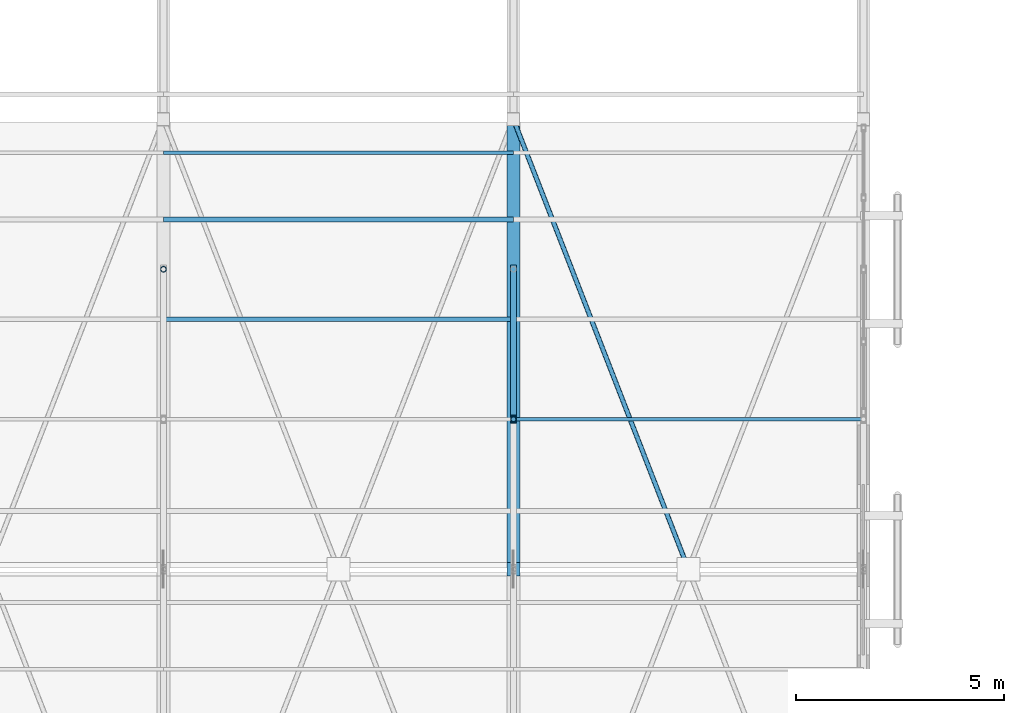
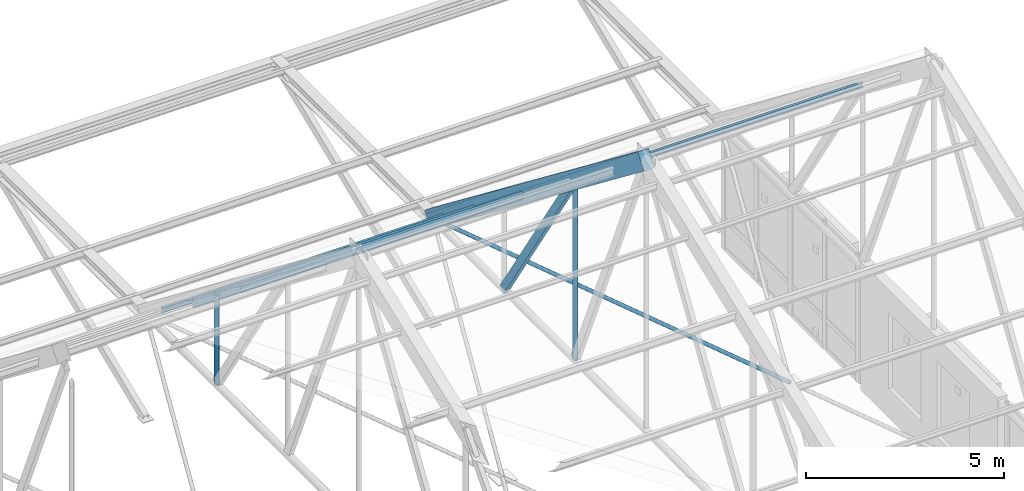
# One storey, part 129 of 217: 9 members.
"""IFC4 building model written with IfcOpenShell, lengths in metres."""

from ifc_helpers import new_model, si_unit, direction, frame, origin, origin_2d, place, context, subcontext, project, spatial, rectangle, hollow_rectangle, hollow_circle, i_section, extrude, material, material_profile, profile_set, type_object, element, save


model = new_model("IFC4")

# Units and contexts
model_context = context("Model", 3, precision=1e-05, world=origin(), true_north=direction((0.0, 1.0)))
body_context = subcontext(model_context, "Body", "Model", "MODEL_VIEW")
ifc_project = project(units=[si_unit("LENGTHUNIT", "METRE"), si_unit("AREAUNIT", "SQUARE_METRE"), si_unit("VOLUMEUNIT", "CUBIC_METRE"), si_unit("PLANEANGLEUNIT", "RADIAN"), si_unit("MASSUNIT", "GRAM", prefix="KILO")], contexts=[model_context])

# Site, building, storey
site_placement = place(None, origin())
site = spatial("IfcSite", under=ifc_project, at=site_placement, CompositionType="ELEMENT")
building_placement = place(site_placement, origin())
building = spatial("IfcBuilding", under=site, at=building_placement, Name="Mazaris Harbour Polytechnic", CompositionType="ELEMENT")
storey_placement = place(building_placement, frame((0.0, 0.0, 9.60009765625)))
storey = spatial("IfcBuildingStorey", under=building, at=storey_placement, Name="L02", CompositionType="ELEMENT", Elevation=9.60009765625)

# Members
ifc_material_1 = material(Name="Glulam GL32h", Category="wood")
ifc_material_profile_1 = material_profile(ifc_material_1, rectangle(XDim=0.320068359375, YDim=0.52001953125, at=origin_2d()), Name="RECT320x520")
ifc_profile_set_1 = profile_set([ifc_material_profile_1], Name="Glulam GL32h")
member_type_1 = type_object("IfcMemberType", Name="Glulam Top Chord 320x520", PredefinedType="CHORD", material=ifc_profile_set_1)
member_1_placement = place(storey_placement, frame((104.39990234375, 97.199951171875, 12.099853515625), z_axis=(0.0, 0.791130406401, -0.611647512926), x_axis=(-1.0, 0.0, 0.0)))
element("IfcMember", 1, at=member_1_placement, inside=storey, type_object=member_type_1, Name="Truss 7 North Glulam Top Chord", PredefinedType="CHORD", context=body_context, shape_type="SweptSolid", body=[
    extrude(rectangle(XDim=0.320068359375, YDim=0.52001953125, at=origin_2d()), origin(), (0.0, 0.0, 1.0), 13.6513671875),
])
ifc_material_2 = material(Name="Steel S355", Category="steel")
ifc_material_profile_2 = material_profile(ifc_material_2, i_section(OverallWidth=0.08203125, OverallDepth=0.159912109375, WebThickness=0.0048828125, FlangeThickness=0.00732421875, FilletRadius=0.009033203125, at=origin_2d()), Name="IPE 160")
ifc_profile_set_2 = profile_set([ifc_material_profile_2], Name="Steel S355")
member_type_2 = type_object("IfcMemberType", Name="Steel Purlin IPE160", PredefinedType="PURLIN", material=ifc_profile_set_2)
member_2_placement = place(storey_placement, frame((96.0, 107.199951171875, 4.3310546875), z_axis=(1.0, 0.0, 0.0), x_axis=(0.0, 1.0, 0.0)))
element("IfcMember", 2, at=member_2_placement, inside=storey, type_object=member_type_2, Name="V1 Roof Purlin N-123", PredefinedType="PURLIN", context=body_context, shape_type="SweptSolid", body=[
    extrude(i_section(OverallWidth=0.08203125, OverallDepth=0.159912109375, WebThickness=0.0048828125, FlangeThickness=0.00732421875, FilletRadius=0.009033203125, at=origin_2d()), origin(), (0.0, 0.0, 1.0), 8.39990234375),
])
member_3_placement = place(storey_placement, frame((104.39990234375, 100.800048828125, 9.308837890625), z_axis=(1.0, 0.0, 0.0), x_axis=(0.0, 1.0, 0.0)))
element("IfcMember", 3, at=member_3_placement, inside=storey, type_object=member_type_2, Name="V1 Roof Purlin N-141", PredefinedType="PURLIN", context=body_context, shape_type="SweptSolid", body=[
    extrude(i_section(OverallWidth=0.08203125, OverallDepth=0.159912109375, WebThickness=0.0048828125, FlangeThickness=0.00732421875, FilletRadius=0.009033203125, at=origin_2d()), origin(), (0.0, 0.0, 1.0), 8.400146484375),
])
ifc_material_3 = material(Name="Steel S355", Category="steel")
ifc_material_profile_3 = material_profile(ifc_material_3, i_section(OverallWidth=0.10009765625, OverallDepth=0.199951171875, WebThickness=0.005615234375, FlangeThickness=0.008544921875, FilletRadius=0.011962890625, at=origin_2d()), Name="IPE 200")
ifc_profile_set_3 = profile_set([ifc_material_profile_3], Name="Steel S355")
member_type_3 = type_object("IfcMemberType", Name="Steel Purlin IPE200", PredefinedType="PURLIN", material=ifc_profile_set_3)
member_4_placement = place(storey_placement, frame((96.0, 103.199951171875, 7.4130859375), z_axis=(1.0, 0.0, 0.0), x_axis=(0.0, 1.0, 0.0)))
element("IfcMember", 4, at=member_4_placement, inside=storey, type_object=member_type_3, Name="V1 Roof Purlin N-121", PredefinedType="PURLIN", context=body_context, shape_type="SweptSolid", body=[
    extrude(i_section(OverallWidth=0.10009765625, OverallDepth=0.199951171875, WebThickness=0.005615234375, FlangeThickness=0.008544921875, FilletRadius=0.011962890625, at=origin_2d()), origin(), (0.0, 0.0, 1.0), 8.39990234375),
])
ifc_material_4 = material(Name="Steel S355", Category="steel")
ifc_material_profile_4 = material_profile(ifc_material_4, i_section(OverallWidth=0.1201171875, OverallDepth=0.239990234375, WebThickness=0.006103515625, FlangeThickness=0.009765625, FilletRadius=0.014892578125, at=origin_2d()), Name="IPE 240")
ifc_profile_set_4 = profile_set([ifc_material_profile_4], Name="Steel S355")
member_type_4 = type_object("IfcMemberType", Name="Steel Purlin IPE240", PredefinedType="PURLIN", material=ifc_profile_set_4)
member_5_placement = place(storey_placement, frame((96.0, 105.60009765625, 5.5166015625), z_axis=(1.0, 0.0, 0.0), x_axis=(0.0, 1.0, 0.0)))
element("IfcMember", 5, at=member_5_placement, inside=storey, type_object=member_type_4, Name="V1 Roof Purlin N-122", PredefinedType="PURLIN", context=body_context, shape_type="SweptSolid", body=[
    extrude(i_section(OverallWidth=0.1201171875, OverallDepth=0.239990234375, WebThickness=0.006103515625, FlangeThickness=0.009765625, FilletRadius=0.014892578125, at=origin_2d()), origin(), (0.0, 0.0, 1.0), 8.39990234375),
])
ifc_material_5 = material(Name="Steel S355", Category="steel")
ifc_material_profile_5 = material_profile(ifc_material_5, hollow_rectangle(XDim=0.139892578125, YDim=0.239990234375, WallThickness=0.010009765625, at=origin_2d()), Name="RHS 140x240x10.0")
ifc_profile_set_5 = profile_set([ifc_material_profile_5], Name="Steel S355")
member_type_5 = type_object("IfcMemberType", Name="Steel Truss Diagonal RHS140x240", PredefinedType="BRACE", material=ifc_profile_set_5)
member_6_placement = place(storey_placement, frame((104.39990234375, 104.39990234375, 3.75), z_axis=(0.0, -0.543028315091, 0.839714385377), x_axis=(1.0, 0.0, 0.0)))
element("IfcMember", 6, at=member_6_placement, inside=storey, type_object=member_type_5, Name="Truss 7 Web Diagonal N2", PredefinedType="BRACE", context=body_context, shape_type="SweptSolid", body=[
    extrude(hollow_rectangle(XDim=0.139892578125, YDim=0.239990234375, WallThickness=0.010009765625, at=origin_2d()), origin(), (0.0, 0.0, 1.0), 6.629150390625),
])
ifc_material_6 = material(Name="Steel S355", Category="steel")
ifc_material_profile_6 = material_profile(ifc_material_6, hollow_circle(Radius=0.06982421875, WallThickness=0.008056640625, at=origin_2d()), Name="CHS 139.7x8.0")
ifc_profile_set_6 = profile_set([ifc_material_profile_6], Name="Steel S355")
member_type_6 = type_object("IfcMemberType", Name="Steel Truss Strut CHS139", PredefinedType="STRUT", material=ifc_profile_set_6)
member_7_placement = place(storey_placement, frame((96.0, 104.39990234375, 3.75), z_axis=(0.0, 0.0, 1.0), x_axis=(1.0, 0.0, 0.0)))
element("IfcMember", 7, at=member_7_placement, inside=storey, type_object=member_type_6, Name="Truss 6 Web Post N2", PredefinedType="STRUT", context=body_context, shape_type="SweptSolid", body=[
    extrude(hollow_circle(Radius=0.06982421875, WallThickness=0.008056640625, at=origin_2d()), origin(), (0.0, 0.0, 1.0), 2.783203125),
])
member_8_placement = place(storey_placement, frame((104.39990234375, 100.800048828125, 3.75), z_axis=(0.0, 0.0, 1.0), x_axis=(1.0, 0.0, 0.0)))
element("IfcMember", 8, at=member_8_placement, inside=storey, type_object=member_type_6, Name="Truss 7 Web Post N1", PredefinedType="STRUT", context=body_context, shape_type="SweptSolid", body=[
    extrude(hollow_circle(Radius=0.06982421875, WallThickness=0.008056640625, at=origin_2d()), origin(), (0.0, 0.0, 1.0), 5.566650390625),
])
ifc_material_7 = material(Name="Steel S355", Category="steel")
ifc_material_profile_7 = material_profile(ifc_material_7, hollow_circle(Radius=0.05712890625, WallThickness=0.00634765625, at=origin_2d()), Name="CHS 114.3x6.3")
ifc_profile_set_7 = profile_set([ifc_material_profile_7], Name="Steel S355")
member_type_7 = type_object("IfcMemberType", Name="Steel Wind Brace CHS114", PredefinedType="BRACE", material=ifc_profile_set_7)
member_9_placement = place(storey_placement, frame((104.39990234375, 108.0, 3.75), z_axis=(0.362459478245, -0.931999531454, 0.0), x_axis=(0.931999531454, 0.362459478245, 0.0)))
element("IfcMember", 9, at=member_9_placement, inside=storey, type_object=member_type_7, Name="V1 Split Roof Wind Brace 7B1", PredefinedType="BRACE", context=body_context, shape_type="SweptSolid", body=[
    extrude(hollow_circle(Radius=0.05712890625, WallThickness=0.00634765625, at=origin_2d()), origin(), (0.0, 0.0, 1.0), 11.588134765625),
])

save(model, "model.ifc")
